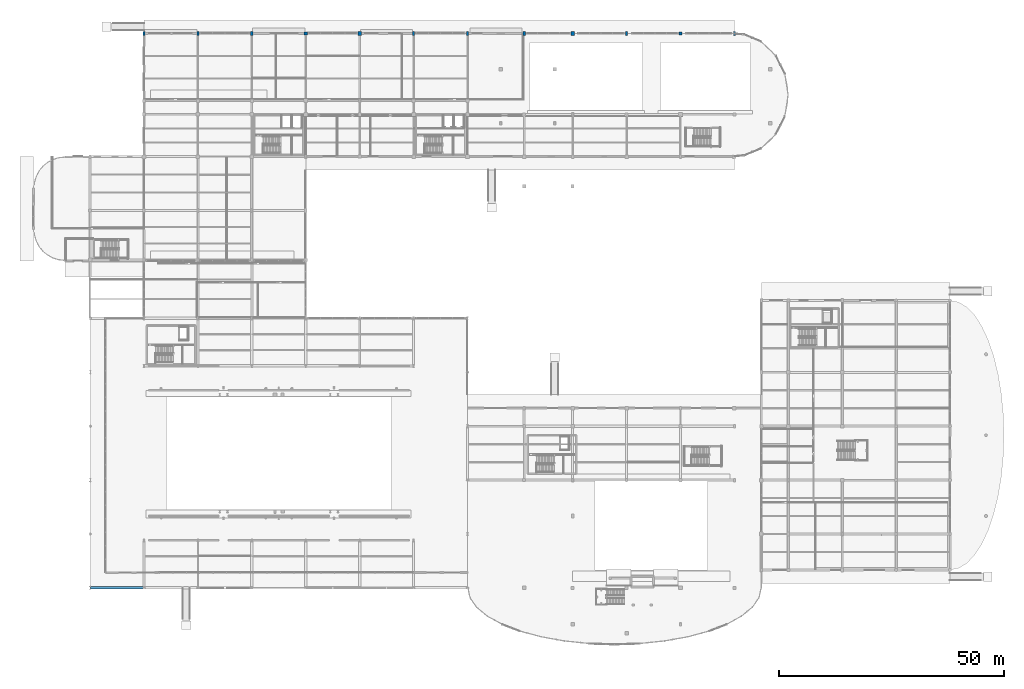
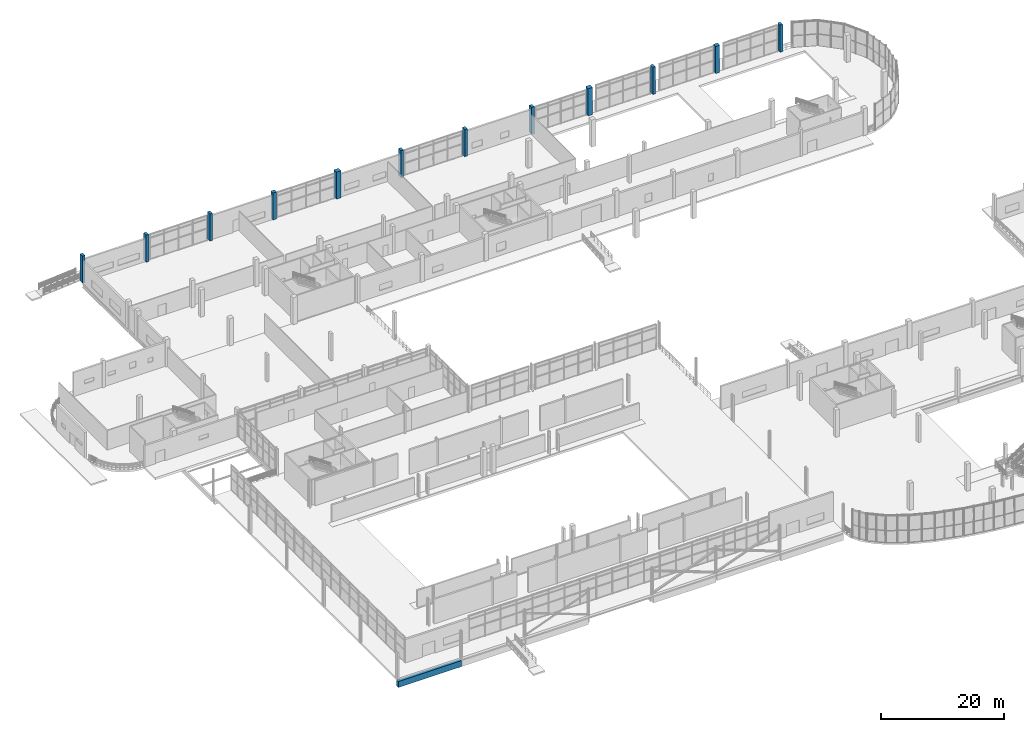
# One storey, part 15 of 85: 12 columns, 1 beam.
"""IFC4 building model written with IfcOpenShell, lengths in metres."""

from ifc_helpers import new_model, si_unit, direction, frame, origin, origin_2d, place, context, subcontext, project, spatial, rectangle, extrude, material, material_profile, profile_set, type_object, element, save


model = new_model("IFC4")

# Units and contexts
model_context = context("Model", 3, precision=1e-05, world=origin(), true_north=direction((0.0, 1.0)))
body_context = subcontext(model_context, "Body", "Model", "MODEL_VIEW")
ifc_project = project(units=[si_unit("LENGTHUNIT", "METRE"), si_unit("AREAUNIT", "SQUARE_METRE"), si_unit("VOLUMEUNIT", "CUBIC_METRE"), si_unit("PLANEANGLEUNIT", "RADIAN"), si_unit("MASSUNIT", "GRAM", prefix="KILO"), si_unit("THERMODYNAMICTEMPERATUREUNIT", "KELVIN"), si_unit("POWERUNIT", "WATT")], contexts=[model_context])

# Site, building, storey
site_placement = place(None, origin())
site = spatial("IfcSite", under=ifc_project, at=site_placement, CompositionType="ELEMENT")
building_placement = place(site_placement, origin())
building = spatial("IfcBuilding", under=site, at=building_placement, Name="Solmara Park Aquatics Centre", CompositionType="ELEMENT")
storey_placement = place(building_placement, origin())
storey = spatial("IfcBuildingStorey", under=building, at=storey_placement, Name="L00", CompositionType="ELEMENT", Elevation=0.0)

# Columns
ifc_material = material(Name="Concrete C40/50", Category="concrete")
ifc_material_profile_1 = material_profile(ifc_material, rectangle(XDim=0.5, YDim=0.800048828125, at=origin_2d()), Name="RC 500x800")
ifc_profile_set_1 = profile_set([ifc_material_profile_1], Name="Concrete C40/50")
column_type_1 = type_object("IfcColumnType", Name="STR-COL-RC500x800", PredefinedType="COLUMN", material=ifc_profile_set_1)
for number, where, z_axis, x_axis, name in (
    (1, (24.60009765625, 136.0, 0.0), (0.0, 0.0, 1.0), (1.0, 0.0, 0.0), "Column L00-0178"),
    (2, (36.60009765625, 136.0, 0.0), (0.0, 0.0, 1.0), (1.0, 0.0, 0.0), "Column L00-0188"),
    (3, (48.60009765625, 136.0, 0.0), (0.0, 0.0, 1.0), (1.0, 0.0, 0.0), "Column L00-0198"),
    (4, (84.60009765625, 136.0, 0.0), (0.0, 0.0, 1.0), (1.0, 0.0, 0.0), "Column L00-0228"),
    (5, (96.60009765625, 136.0, 0.0), (0.0, 0.0, 1.0), (1.0, 0.0, 0.0), "Column L00-0238"),
    (6, (109.199951171875, 136.0, 0.0), (0.0, 0.0, 1.0), (1.0, 0.0, 0.0), "Column L00-0248"),
    (7, (132.0, 136.0, 0.0), (0.0, 0.0, 1.0), (1.0, 0.0, 0.0), "Column L00-0268"),
    (8, (156.0, 136.0, 0.0), (0.0, 0.0, 1.0), (1.0, 0.0, 0.0), "Column L00-0283"),
):
    element("IfcColumn", number, at=place(storey_placement, frame(where, z_axis=z_axis, x_axis=x_axis)), inside=storey, type_object=column_type_1, Name=name, PredefinedType="COLUMN", context=body_context, shape_type="SweptSolid", body=[
        extrude(rectangle(XDim=0.5, YDim=0.800048828125, at=origin_2d()), origin(), (0.0, 0.0, 1.0), 5.39990234375),
    ])
ifc_material_profile_2 = material_profile(ifc_material, rectangle(XDim=0.699951171875, YDim=0.699951171875, at=origin_2d()), Name="RC 700x700")
ifc_profile_set_2 = profile_set([ifc_material_profile_2], Name="Concrete C40/50")
column_type_2 = type_object("IfcColumnType", Name="STR-COL-RC700", PredefinedType="COLUMN", material=ifc_profile_set_2)
column_1_placement = place(storey_placement, frame((60.60009765625, 136.0, 0.0), z_axis=(0.0, 0.0, 1.0), x_axis=(1.0, 0.0, 0.0)))
element("IfcColumn", 9, at=column_1_placement, inside=storey, type_object=column_type_2, Name="Column L00-0212", PredefinedType="COLUMN", context=body_context, shape_type="SweptSolid", body=[
    extrude(rectangle(XDim=0.699951171875, YDim=0.699951171875, at=origin_2d()), origin(), (0.0, 0.0, 1.0), 5.39990234375),
])
ifc_material_profile_3 = material_profile(ifc_material, rectangle(XDim=0.75, YDim=0.75, at=origin_2d()), Name="RC 750x750")
ifc_profile_set_3 = profile_set([ifc_material_profile_3], Name="Concrete C40/50")
column_type_3 = type_object("IfcColumnType", Name="STR-COL-RC750", PredefinedType="COLUMN", material=ifc_profile_set_3)
column_2_placement = place(storey_placement, frame((144.0, 136.0, 0.0), z_axis=(0.0, 0.0, 1.0), x_axis=(1.0, 0.0, 0.0)))
element("IfcColumn", 10, at=column_2_placement, inside=storey, type_object=column_type_3, Name="Column L00-0276", PredefinedType="COLUMN", context=body_context, shape_type="SweptSolid", body=[
    extrude(rectangle(XDim=0.75, YDim=0.75, at=origin_2d()), origin(), (0.0, 0.0, 1.0), 5.39990234375),
])
ifc_material_profile_4 = material_profile(ifc_material, rectangle(XDim=0.800048828125, YDim=0.800048828125, at=origin_2d()), Name="RC 800x800")
ifc_profile_set_4 = profile_set([ifc_material_profile_4], Name="Concrete C40/50")
column_type_4 = type_object("IfcColumnType", Name="STR-COL-RC800", PredefinedType="COLUMN", material=ifc_profile_set_4)
for number, where, z_axis, x_axis, name in (
    (11, (72.60009765625, 136.0, 0.0), (0.0, 0.0, 1.0), (1.0, 0.0, 0.0), "Column L00-0220"),
    (12, (120.0, 136.0, 0.0), (0.0, 0.0, 1.0), (1.0, 0.0, 0.0), "Column L00-0260"),
):
    element("IfcColumn", number, at=place(storey_placement, frame(where, z_axis=z_axis, x_axis=x_axis)), inside=storey, type_object=column_type_4, Name=name, PredefinedType="COLUMN", context=body_context, shape_type="SweptSolid", body=[
        extrude(rectangle(XDim=0.800048828125, YDim=0.800048828125, at=origin_2d()), origin(), (0.0, 0.0, 1.0), 5.39990234375),
    ])

# Beam
ifc_material_profile_5 = material_profile(ifc_material, rectangle(XDim=0.550048828125, YDim=1.199951171875, at=origin_2d()), Name="RC 550x1200")
ifc_profile_set_5 = profile_set([ifc_material_profile_5], Name="Concrete C40/50")
beam_type = type_object("IfcBeamType", Name="STR-BM-RC550x1200", PredefinedType="BEAM", material=ifc_profile_set_5)
beam_placement = place(storey_placement, frame((12.679931640625, 12.60009765625, -1.02001953125), z_axis=(1.0, 0.0, 0.0), x_axis=(0.0, 1.0, 0.0)))
element("IfcBeam", 13, at=beam_placement, inside=storey, type_object=beam_type, Name="Girder BM-L00-0001", PredefinedType="BEAM", context=body_context, shape_type="SweptSolid", body=[
    extrude(rectangle(XDim=0.550048828125, YDim=1.199951171875, at=origin_2d()), origin(), (0.0, 0.0, 1.0), 11.840087890625),
])

save(model, "model.ifc")
